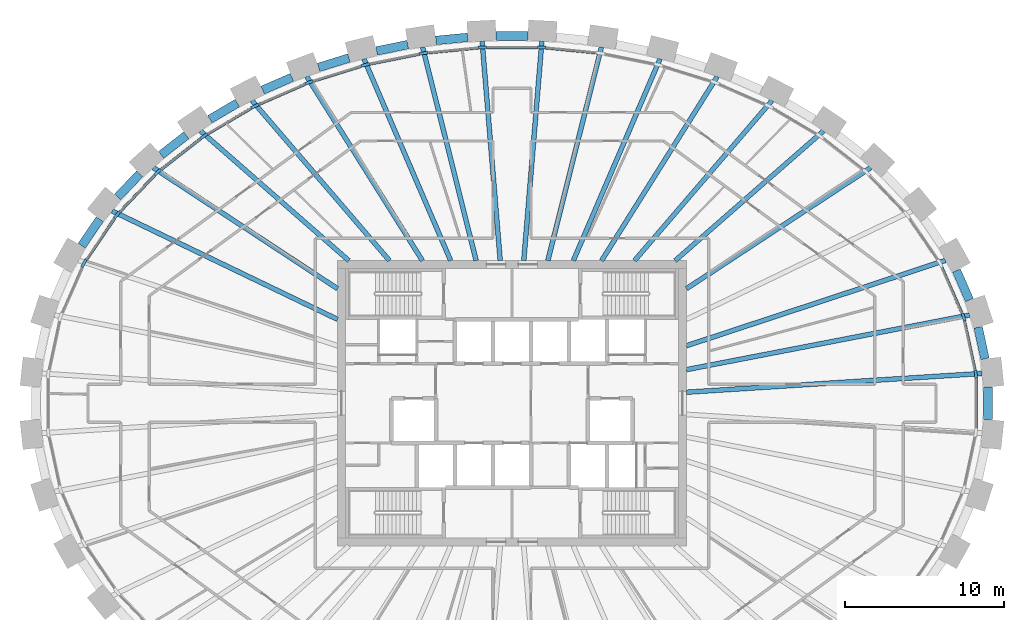
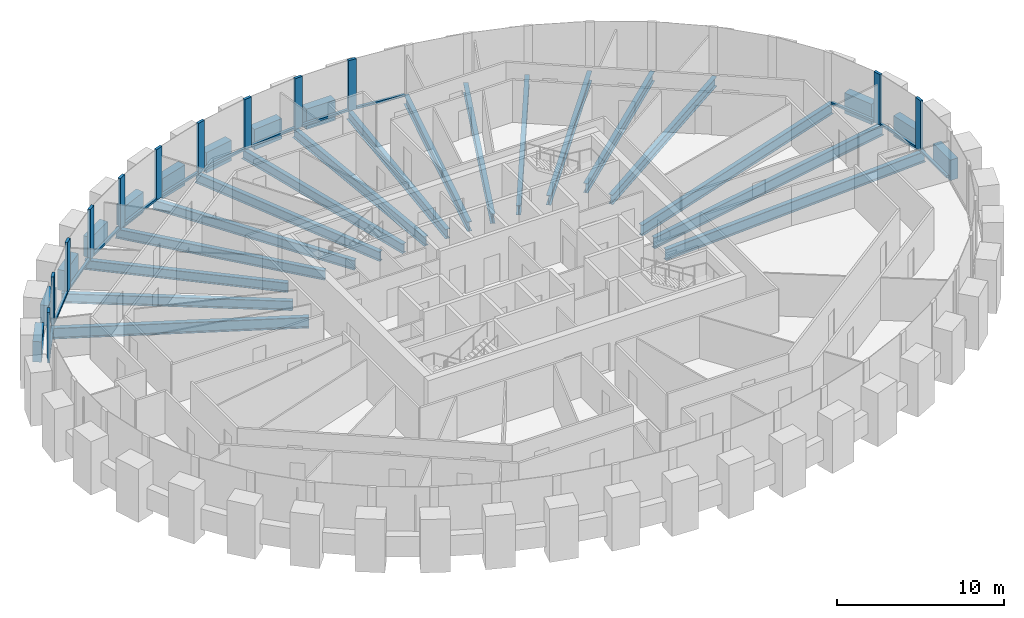
# One storey, part 3 of 11: 30 beams, 25 members, 1 element without a shape of its own.
"""IFC4 building model written with IfcOpenShell, lengths in metres."""

from ifc_helpers import new_model, si_unit, direction, frame, origin, origin_2d, place, context, subcontext, project, spatial, rectangle, i_section, extrude, source, transform, mapped, material, material_profile, profile_set, type_object, element, aggregate, save


model = new_model("IFC4")

# Units and contexts
model_context = context("Model", 3, precision=1e-05, world=origin(), true_north=direction((0.0, 1.0)))
body_context = subcontext(model_context, "Body", "Model", "MODEL_VIEW")
ifc_project = project(units=[si_unit("LENGTHUNIT", "METRE"), si_unit("AREAUNIT", "SQUARE_METRE"), si_unit("VOLUMEUNIT", "CUBIC_METRE"), si_unit("PLANEANGLEUNIT", "RADIAN"), si_unit("MASSUNIT", "GRAM", prefix="KILO")], contexts=[model_context])

# Site, building, storey
site_placement = place(None, origin())
site = spatial("IfcSite", under=ifc_project, at=site_placement, CompositionType="ELEMENT")
building_placement = place(site_placement, origin())
building = spatial("IfcBuilding", under=site, at=building_placement, Name="Embergate Tower", CompositionType="ELEMENT")
storey_placement = place(building_placement, frame((0.0, 0.0, 305.199951171875)))
storey = spatial("IfcBuildingStorey", under=building, at=storey_placement, Name="L71", CompositionType="ELEMENT", Elevation=305.199951171875)

# Beams
ifc_material_1 = material(Name="Concrete C50", Category="concrete")
ifc_material_profile_1 = material_profile(ifc_material_1, rectangle(XDim=0.550048828125, YDim=1.5, at=origin_2d()), Name="RC 550x1500")
ifc_profile_set_1 = profile_set([ifc_material_profile_1], Name="Concrete C50")
beam_type_1 = type_object("IfcBeamType", Name="Spandrel beam RC 550x1500 C50", PredefinedType="BEAM", material=ifc_profile_set_1)
shared_shape_1 = source(origin(), body_context, "Body", "SweptSolid", [
    extrude(rectangle(XDim=0.550048828125, YDim=1.5, at=origin_2d()), origin(), (0.0, 0.0, 1.0), 2.034423828125),
])
beam_1_placement = place(storey_placement, frame((29.823974609375, 2.80810546875, 0.0), z_axis=(-0.209897885741, 0.977723313398, 0.0), x_axis=(-0.977723313398, -0.209897885741, 0.0)))
element("IfcBeam", 1, at=beam_1_placement, inside=storey, type_object=beam_type_1, Name="SPN-L71-00", PredefinedType="BEAM", context=body_context, shape_type="MappedRepresentation", body=[
    mapped(shared_shape_1, transform((0.0, 0.0, 0.0))),
])
shared_shape_2 = source(origin(), body_context, "Body", "SweptSolid", [
    extrude(rectangle(XDim=0.550048828125, YDim=1.5, at=origin_2d()), origin(), (0.0, 0.0, 1.0), 2.03125),
])
beam_2_placement = place(storey_placement, frame((28.843017578125, 6.510009765625, 0.0), z_axis=(-0.401695096335, 0.915773470669, 0.0), x_axis=(-0.915773470669, -0.401695096335, 0.0)))
element("IfcBeam", 2, at=beam_2_placement, inside=storey, type_object=beam_type_1, Name="SPN-L71-01", PredefinedType="BEAM", context=body_context, shape_type="MappedRepresentation", body=[
    mapped(shared_shape_2, transform((0.0, 0.0, 0.0))),
])
shared_shape_3 = source(origin(), body_context, "Body", "SweptSolid", [
    extrude(rectangle(XDim=0.550048828125, YDim=1.5, at=origin_2d()), origin(), (0.0, 0.0, 1.0), 2.02392578125),
])
beam_3_placement = place(storey_placement, frame((-26.0, 11.60888671875, 0.0), z_axis=(-0.562220937061, -0.826987072408, 0.0), x_axis=(0.826987072408, -0.562220937061, 0.0)))
element("IfcBeam", 3, at=beam_3_placement, inside=storey, type_object=beam_type_1, Name="SPN-L71-18", PredefinedType="BEAM", context=body_context, shape_type="MappedRepresentation", body=[
    mapped(shared_shape_3, transform((0.0, 0.0, 0.0))),
])
shared_shape_4 = source(origin(), body_context, "Body", "SweptSolid", [
    extrude(rectangle(XDim=0.550048828125, YDim=1.5, at=origin_2d()), origin(), (0.0, 0.0, 1.0), 2.0185546875),
])
beam_4_placement = place(storey_placement, frame((-23.47607421875, 14.469970703125, 0.0), z_axis=(-0.690032605045, -0.723778283714, 0.0), x_axis=(0.723778283714, -0.690032605045, 0.0)))
element("IfcBeam", 4, at=beam_4_placement, inside=storey, type_object=beam_type_1, Name="SPN-L71-17", PredefinedType="BEAM", context=body_context, shape_type="MappedRepresentation", body=[
    mapped(shared_shape_4, transform((0.0, 0.0, 0.0))),
])
shared_shape_5 = source(origin(), body_context, "Body", "SweptSolid", [
    extrude(rectangle(XDim=0.550048828125, YDim=1.5, at=origin_2d()), origin(), (0.0, 0.0, 1.0), 2.011962890625),
])
beam_5_placement = place(storey_placement, frame((-20.5419921875, 16.902099609375, 0.0), z_axis=(-0.788259795351, -0.615342583471, 0.0), x_axis=(0.615342583471, -0.788259795351, 0.0)))
element("IfcBeam", 5, at=beam_5_placement, inside=storey, type_object=beam_type_1, Name="SPN-L71-16", PredefinedType="BEAM", context=body_context, shape_type="MappedRepresentation", body=[
    mapped(shared_shape_5, transform((0.0, 0.0, 0.0))),
])
shared_shape_6 = source(origin(), body_context, "Body", "SweptSolid", [
    extrude(rectangle(XDim=0.550048828125, YDim=1.5, at=origin_2d()), origin(), (0.0, 0.0, 1.0), 2.008056640625),
])
beam_6_placement = place(storey_placement, frame((-17.322021484375, 18.931884765625, 0.0), z_axis=(-0.86201859197, -0.506876658663, 0.0), x_axis=(0.506876658663, -0.86201859197, 0.0)))
element("IfcBeam", 6, at=beam_6_placement, inside=storey, type_object=beam_type_1, Name="SPN-L71-15", PredefinedType="BEAM", context=body_context, shape_type="MappedRepresentation", body=[
    mapped(shared_shape_6, transform((0.0, 0.0, 0.0))),
])
shared_shape_7 = source(origin(), body_context, "Body", "SweptSolid", [
    extrude(rectangle(XDim=0.550048828125, YDim=1.5, at=origin_2d()), origin(), (0.0, 0.0, 1.0), 2.0068359375),
])
beam_7_placement = place(storey_placement, frame((-13.8798828125, 20.552978515625, 0.0), z_axis=(-0.916455842534, -0.400135837793, 0.0), x_axis=(0.400135837793, -0.916455842534, 0.0)))
element("IfcBeam", 7, at=beam_7_placement, inside=storey, type_object=beam_type_1, Name="SPN-L71-14", PredefinedType="BEAM", context=body_context, shape_type="MappedRepresentation", body=[
    mapped(shared_shape_7, transform((0.0, 0.0, 0.0))),
])
shared_shape_8 = source(origin(), body_context, "Body", "SweptSolid", [
    extrude(rectangle(XDim=0.550048828125, YDim=1.5, at=origin_2d()), origin(), (0.0, 0.0, 1.0), 2.0048828125),
])
beam_8_placement = place(storey_placement, frame((-10.280029296875, 21.778076171875, 0.0), z_axis=(-0.954756929567, -0.297387298725, 0.0), x_axis=(0.297387298725, -0.954756929567, 0.0)))
element("IfcBeam", 8, at=beam_8_placement, inside=storey, type_object=beam_type_1, Name="SPN-L71-13", PredefinedType="BEAM", context=body_context, shape_type="MappedRepresentation", body=[
    mapped(shared_shape_8, transform((0.0, 0.0, 0.0))),
])
shared_shape_9 = source(origin(), body_context, "Body", "SweptSolid", [
    extrude(rectangle(XDim=0.550048828125, YDim=1.5, at=origin_2d()), origin(), (0.0, 0.0, 1.0), 2.003173828125),
])
beam_9_placement = place(storey_placement, frame((-6.572021484375, 22.617919921875, 0.0), z_axis=(-0.980364457571, -0.197194143753, 0.0), x_axis=(0.197194143753, -0.980364457571, 0.0)))
element("IfcBeam", 9, at=beam_9_placement, inside=storey, type_object=beam_type_1, Name="SPN-L71-12", PredefinedType="BEAM", context=body_context, shape_type="MappedRepresentation", body=[
    mapped(shared_shape_9, transform((0.0, 0.0, 0.0))),
])
shared_shape_10 = source(origin(), body_context, "Body", "SweptSolid", [
    extrude(rectangle(XDim=0.550048828125, YDim=1.5, at=origin_2d()), origin(), (0.0, 0.0, 1.0), 2.00341796875),
])
beam_10_placement = place(storey_placement, frame((-2.798095703125, 23.0791015625, 0.0), z_axis=(-0.995201107697, -0.097850678276, 0.0), x_axis=(0.097850678276, -0.995201107697, 0.0)))
element("IfcBeam", 10, at=beam_10_placement, inside=storey, type_object=beam_type_1, Name="SPN-L71-11", PredefinedType="BEAM", context=body_context, shape_type="MappedRepresentation", body=[
    mapped(shared_shape_10, transform((0.0, 0.0, 0.0))),
])
shared_shape_11 = source(origin(), body_context, "Body", "SweptSolid", [
    extrude(rectangle(XDim=0.550048828125, YDim=1.5, at=origin_2d()), origin(), (0.0, 0.0, 1.0), 2.001953125),
])
beam_11_placement = place(storey_placement, frame((1.0009765625, 23.1669921875, 0.0), z_axis=(-1.0, 0.0, 0.0), x_axis=(0.0, -1.0, 0.0)))
element("IfcBeam", 11, at=beam_11_placement, inside=storey, type_object=beam_type_1, Name="SPN-L71-10", PredefinedType="BEAM", context=body_context, shape_type="MappedRepresentation", body=[
    mapped(shared_shape_11, transform((0.0, 0.0, 0.0))),
])
shared_shape_12 = source(origin(), body_context, "Body", "SweptSolid", [
    extrude(rectangle(XDim=0.550048828125, YDim=1.5, at=origin_2d()), origin(), (0.0, 0.0, 1.0), 2.0361328125),
])
beam_12_placement = place(storey_placement, frame((30.014892578125, -1.01806640625, 0.0), z_axis=(0.0, 1.0, 0.0), x_axis=(-1.0, 0.0, 0.0)))
element("IfcBeam", 12, at=beam_12_placement, inside=storey, type_object=beam_type_1, Name="SPN-L71-43", PredefinedType="BEAM", context=body_context, shape_type="MappedRepresentation", body=[
    mapped(shared_shape_12, transform((0.0, 0.0, 0.0))),
])
ifc_material_2 = material(Name="Steel Q355B", Category="steel")
ifc_material_profile_2 = material_profile(ifc_material_2, i_section(OverallWidth=0.300048828125, OverallDepth=0.800048828125, WebThickness=0.013916015625, FlangeThickness=0.02587890625, FilletRadius=0.028076171875, at=origin_2d()), Name="HN 800x300x14x26")
ifc_profile_set_2 = profile_set([ifc_material_profile_2], Name="Steel Q355 grade B")
beam_type_2 = type_object("IfcBeamType", Name="Radial girder HN 800x300x14x26", PredefinedType="BEAM", material=ifc_profile_set_2)
shared_shape_13 = source(origin(), body_context, "Body", "SweptSolid", [
    extrude(i_section(OverallWidth=0.300048828125, OverallDepth=0.800048828125, WebThickness=0.013916015625, FlangeThickness=0.02587890625, FilletRadius=0.028076171875, at=origin_2d()), origin(), (0.0, 0.0, 1.0), 18.677490234375),
])
beam_13_placement = place(storey_placement, frame((29.639892578125, 1.883056640625, -0.599853515625), z_axis=(-0.997988431548, -0.063396297175, 0.0), x_axis=(0.063396297175, -0.997988431548, 0.0)))
element("IfcBeam", 13, at=beam_13_placement, inside=storey, type_object=beam_type_2, Name="GIR-L71-00", PredefinedType="BEAM", context=body_context, shape_type="MappedRepresentation", body=[
    mapped(shared_shape_13, transform((0.0, 0.0, 0.0))),
])
shared_shape_14 = source(origin(), body_context, "Body", "SweptSolid", [
    extrude(i_section(OverallWidth=0.300048828125, OverallDepth=0.800048828125, WebThickness=0.013916015625, FlangeThickness=0.02587890625, FilletRadius=0.028076171875, at=origin_2d()), origin(), (0.0, 0.0, 1.0), 18.177001953125),
])
beam_14_placement = place(storey_placement, frame((28.847900390625, 5.56494140625, -0.599853515625), z_axis=(-0.981898318419, -0.189408796749, 0.0), x_axis=(0.189408796749, -0.981898318419, 0.0)))
element("IfcBeam", 14, at=beam_14_placement, inside=storey, type_object=beam_type_2, Name="GIR-L71-01", PredefinedType="BEAM", context=body_context, shape_type="MappedRepresentation", body=[
    mapped(shared_shape_14, transform((0.0, 0.0, 0.0))),
])
shared_shape_15 = source(origin(), body_context, "Body", "SweptSolid", [
    extrude(i_section(OverallWidth=0.300048828125, OverallDepth=0.800048828125, WebThickness=0.013916015625, FlangeThickness=0.02587890625, FilletRadius=0.028076171875, at=origin_2d()), origin(), (0.0, 0.0, 1.0), 17.2001953125),
])
beam_15_placement = place(storey_placement, frame((27.3349609375, 9.014892578125, -0.599853515625), z_axis=(-0.949690470212, -0.313190055378, 0.0), x_axis=(0.313190055378, -0.949690470212, 0.0)))
element("IfcBeam", 15, at=beam_15_placement, inside=storey, type_object=beam_type_2, Name="GIR-L71-02", PredefinedType="BEAM", context=body_context, shape_type="MappedRepresentation", body=[
    mapped(shared_shape_15, transform((0.0, 0.0, 0.0))),
])
shared_shape_16 = source(origin(), body_context, "Body", "SweptSolid", [
    extrude(i_section(OverallWidth=0.300048828125, OverallDepth=0.800048828125, WebThickness=0.013916015625, FlangeThickness=0.02587890625, FilletRadius=0.028076171875, at=origin_2d()), origin(), (0.0, 0.0, 1.0), 15.775634765625),
])
beam_16_placement = place(storey_placement, frame((-25.216064453125, 12.131103515625, -0.599853515625), z_axis=(0.901141870193, -0.433524312795, 0.0), x_axis=(0.433524312795, 0.901141870193, 0.0)))
element("IfcBeam", 16, at=beam_16_placement, inside=storey, type_object=beam_type_2, Name="GIR-L71-18", PredefinedType="BEAM", context=body_context, shape_type="MappedRepresentation", body=[
    mapped(shared_shape_16, transform((0.0, 0.0, 0.0))),
])
ifc_material_profile_3 = material_profile(ifc_material_2, i_section(OverallWidth=0.300048828125, OverallDepth=0.699951171875, WebThickness=0.012939453125, FlangeThickness=0.02392578125, FilletRadius=0.01806640625, at=origin_2d()), Name="HN 700x300x13x24")
ifc_profile_set_3 = profile_set([ifc_material_profile_3], Name="Steel Q355 grade B")
beam_type_3 = type_object("IfcBeamType", Name="Radial girder HN 700x300x13x24", PredefinedType="BEAM", material=ifc_profile_set_3)
shared_shape_17 = source(origin(), body_context, "Body", "SweptSolid", [
    extrude(i_section(OverallWidth=0.300048828125, OverallDepth=0.699951171875, WebThickness=0.012939453125, FlangeThickness=0.02392578125, FilletRadius=0.01806640625, at=origin_2d()), origin(), (0.0, 0.0, 1.0), 13.89794921875),
])
for number, where, z_axis, x_axis, name in (
    (17, (22.614990234375, 14.85888671875, -0.550048828125), (-0.835734272266, -0.549134069386, 0.0), (0.549134069386, -0.835734272266, 0.0), "GIR-L71-04"),
    (18, (-22.614990234375, 14.85888671875, -0.550048828125), (0.835734272266, -0.549134069386, 0.0), (0.549134069386, 0.835734272266, 0.0), "GIR-L71-17"),
):
    element("IfcBeam", number, at=place(storey_placement, frame(where, z_axis=z_axis, x_axis=x_axis)), inside=storey, type_object=beam_type_3, Name=name, PredefinedType="BEAM", context=body_context, shape_type="MappedRepresentation", body=[
        mapped(shared_shape_17, transform((0.0, 0.0, 0.0))),
    ])
shared_shape_18 = source(origin(), body_context, "Body", "SweptSolid", [
    extrude(i_section(OverallWidth=0.300048828125, OverallDepth=0.699951171875, WebThickness=0.012939453125, FlangeThickness=0.02392578125, FilletRadius=0.01806640625, at=origin_2d()), origin(), (0.0, 0.0, 1.0), 12.424072265625),
])
for number, where, z_axis, x_axis, name in (
    (19, (19.64306640625, 17.178955078125, -0.550048828125), (-0.752739789834, -0.658318166847, 0.0), (0.658318166847, -0.752739789834, 0.0), "GIR-L71-05"),
    (20, (-19.64306640625, 17.178955078125, -0.550048828125), (0.752739789834, -0.658318166847, 0.0), (0.658318166847, 0.752739789834, 0.0), "GIR-L71-16"),
):
    element("IfcBeam", number, at=place(storey_placement, frame(where, z_axis=z_axis, x_axis=x_axis)), inside=storey, type_object=beam_type_3, Name=name, PredefinedType="BEAM", context=body_context, shape_type="MappedRepresentation", body=[
        mapped(shared_shape_18, transform((0.0, 0.0, 0.0))),
    ])
shared_shape_19 = source(origin(), body_context, "Body", "SweptSolid", [
    extrude(i_section(OverallWidth=0.300048828125, OverallDepth=0.699951171875, WebThickness=0.012939453125, FlangeThickness=0.02392578125, FilletRadius=0.01806640625, at=origin_2d()), origin(), (0.0, 0.0, 1.0), 13.300048828125),
])
for number, where, z_axis, x_axis, name in (
    (21, (16.39306640625, 19.090087890625, -0.550048828125), (-0.651501585067, -0.758647272885, 0.0), (0.758647272885, -0.651501585067, 0.0), "GIR-L71-06"),
    (22, (-16.39306640625, 19.090087890625, -0.550048828125), (0.651501585067, -0.758647272885, 0.0), (0.758647272885, 0.651501585067, 0.0), "GIR-L71-15"),
):
    element("IfcBeam", number, at=place(storey_placement, frame(where, z_axis=z_axis, x_axis=x_axis)), inside=storey, type_object=beam_type_3, Name=name, PredefinedType="BEAM", context=body_context, shape_type="MappedRepresentation", body=[
        mapped(shared_shape_19, transform((0.0, 0.0, 0.0))),
    ])
shared_shape_20 = source(origin(), body_context, "Body", "SweptSolid", [
    extrude(i_section(OverallWidth=0.300048828125, OverallDepth=0.699951171875, WebThickness=0.012939453125, FlangeThickness=0.02392578125, FilletRadius=0.01806640625, at=origin_2d()), origin(), (0.0, 0.0, 1.0), 13.698486328125),
])
for number, where, z_axis, x_axis, name in (
    (23, (12.93798828125, 20.60009765625, -0.550048828125), (-0.5318784163, -0.846820730895, 0.0), (0.846820730895, -0.5318784163, 0.0), "GIR-L71-07"),
    (24, (-12.93798828125, 20.60009765625, -0.550048828125), (0.5318784163, -0.846820730895, 0.0), (0.846820730895, 0.5318784163, 0.0), "GIR-L71-14"),
):
    element("IfcBeam", number, at=place(storey_placement, frame(where, z_axis=z_axis, x_axis=x_axis)), inside=storey, type_object=beam_type_3, Name=name, PredefinedType="BEAM", context=body_context, shape_type="MappedRepresentation", body=[
        mapped(shared_shape_20, transform((0.0, 0.0, 0.0))),
    ])
shared_shape_21 = source(origin(), body_context, "Body", "SweptSolid", [
    extrude(i_section(OverallWidth=0.300048828125, OverallDepth=0.699951171875, WebThickness=0.012939453125, FlangeThickness=0.02392578125, FilletRadius=0.01806640625, at=origin_2d()), origin(), (0.0, 0.0, 1.0), 13.846435546875),
])
for number, where, z_axis, x_axis, name in (
    (25, (9.3369140625, 21.720947265625, -0.550048828125), (-0.394906469697, -0.918721328909, 0.0), (0.918721328909, -0.394906469697, 0.0), "GIR-L71-08"),
    (26, (-9.3369140625, 21.720947265625, -0.550048828125), (0.394906469697, -0.918721328909, 0.0), (0.918721328909, 0.394906469697, 0.0), "GIR-L71-13"),
):
    element("IfcBeam", number, at=place(storey_placement, frame(where, z_axis=z_axis, x_axis=x_axis)), inside=storey, type_object=beam_type_3, Name=name, PredefinedType="BEAM", context=body_context, shape_type="MappedRepresentation", body=[
        mapped(shared_shape_21, transform((0.0, 0.0, 0.0))),
    ])
shared_shape_22 = source(origin(), body_context, "Body", "SweptSolid", [
    extrude(i_section(OverallWidth=0.300048828125, OverallDepth=0.699951171875, WebThickness=0.012939453125, FlangeThickness=0.02392578125, FilletRadius=0.01806640625, at=origin_2d()), origin(), (0.0, 0.0, 1.0), 13.88037109375),
])
for number, where, z_axis, x_axis, name in (
    (27, (5.638916015625, 22.462890625, -0.550048828125), (-0.243429448645, -0.969918606653, 0.0), (0.969918606653, -0.243429448645, 0.0), "GIR-L71-09"),
    (28, (-5.638916015625, 22.462890625, -0.550048828125), (0.243429448645, -0.969918606653, 0.0), (0.969918606653, 0.243429448645, 0.0), "GIR-L71-12"),
):
    element("IfcBeam", number, at=place(storey_placement, frame(where, z_axis=z_axis, x_axis=x_axis)), inside=storey, type_object=beam_type_3, Name=name, PredefinedType="BEAM", context=body_context, shape_type="MappedRepresentation", body=[
        mapped(shared_shape_22, transform((0.0, 0.0, 0.0))),
    ])
shared_shape_23 = source(origin(), body_context, "Body", "SweptSolid", [
    extrude(i_section(OverallWidth=0.300048828125, OverallDepth=0.699951171875, WebThickness=0.012939453125, FlangeThickness=0.02392578125, FilletRadius=0.01806640625, at=origin_2d()), origin(), (0.0, 0.0, 1.0), 13.879150390625),
])
for number, where, z_axis, x_axis, name in (
    (29, (1.885009765625, 22.83203125, -0.550048828125), (-0.082288456924, -0.996608553975, 0.0), (0.996608553975, -0.082288456924, 0.0), "GIR-L71-10"),
    (30, (-1.885009765625, 22.83203125, -0.550048828125), (0.082288456924, -0.996608553975, 0.0), (0.996608553975, 0.082288456924, 0.0), "GIR-L71-11"),
):
    element("IfcBeam", number, at=place(storey_placement, frame(where, z_axis=z_axis, x_axis=x_axis)), inside=storey, type_object=beam_type_3, Name=name, PredefinedType="BEAM", context=body_context, shape_type="MappedRepresentation", body=[
        mapped(shared_shape_23, transform((0.0, 0.0, 0.0))),
    ])

# Curtain wall, members
ifc_material_3 = material(Name="Aluminium and glass", Category="aluminium")
curtain_wall_type = type_object("IfcCurtainWallType", Name="Recessed office glazing", PredefinedType="NOTDEFINED", material=ifc_material_3)
curtain_wall_placement = place(storey_placement, origin())
curtain_wall = element("IfcCurtainWall", 31, at=curtain_wall_placement, inside=storey, type_object=curtain_wall_type, Name="Recessed office glazing ring", ObjectType="RECESSED OFFICE GLAZING", PredefinedType="USERDEFINED")
ifc_material_4 = material(Name="Aluminium, thermally broken", Category="aluminium")
ifc_material_profile_4 = material_profile(ifc_material_4, rectangle(XDim=0.179931640625, YDim=0.52001953125, at=origin_2d()), Name="AL 520x180")
ifc_profile_set_4 = profile_set([ifc_material_profile_4], Name="Aluminium, thermally broken")
member_type_1 = type_object("IfcMemberType", Name="Office mullion", PredefinedType="MULLION", material=ifc_profile_set_4)
shared_shape_24 = source(origin(), body_context, "Body", "SweptSolid", [
    extrude(rectangle(XDim=0.179931640625, YDim=0.52001953125, at=origin_2d()), origin(), (0.0, 0.0, 1.0), 3.699951171875),
])
member_1_placement = place(storey_placement, frame((29.252197265625, 1.84130859375, 0.0), z_axis=(0.0, 0.0, 1.0), x_axis=(-0.994384215926, -0.105830199459, 0.0)))
member_1 = element("IfcMember", 32, at=member_1_placement, type_object=member_type_1, Name="CW mullion 1", PredefinedType="MULLION", context=body_context, shape_type="MappedRepresentation", body=[
    mapped(shared_shape_24, transform((0.0, 0.0, 0.0))),
])
member_2_placement = place(storey_placement, frame((28.47705078125, 5.44384765625, 0.0), z_axis=(0.0, 0.0, 1.0), x_axis=(-0.951492965233, -0.307670500881, 0.0)))
member_2 = element("IfcMember", 33, at=member_2_placement, type_object=member_type_1, Name="CW mullion 2", PredefinedType="MULLION", context=body_context, shape_type="MappedRepresentation", body=[
    mapped(shared_shape_24, transform((0.0, 0.0, 0.0))),
])
member_3_placement = place(storey_placement, frame((1.86669921875, 22.4423828125, 0.0), z_axis=(0.0, 0.0, 1.0), x_axis=(-0.048971796621, -0.998800161762, 0.0)))
member_3 = element("IfcMember", 34, at=member_3_placement, type_object=member_type_1, Name="CW mullion 11", PredefinedType="MULLION", context=body_context, shape_type="MappedRepresentation", body=[
    mapped(shared_shape_24, transform((0.0, 0.0, 0.0))),
])
member_4_placement = place(storey_placement, frame((-1.86669921875, 22.4423828125, 0.0), z_axis=(0.0, 0.0, 1.0), x_axis=(0.048971796621, -0.998800161762, 0.0)))
member_4 = element("IfcMember", 35, at=member_4_placement, type_object=member_type_1, Name="CW mullion 12", PredefinedType="MULLION", context=body_context, shape_type="MappedRepresentation", body=[
    mapped(shared_shape_24, transform((0.0, 0.0, 0.0))),
])
member_5_placement = place(storey_placement, frame((-5.581787109375, 22.0771484375, 0.0), z_axis=(0.0, 0.0, 1.0), x_axis=(0.147412382818, -0.989075118174, 0.0)))
member_5 = element("IfcMember", 36, at=member_5_placement, type_object=member_type_1, Name="CW mullion 13", PredefinedType="MULLION", context=body_context, shape_type="MappedRepresentation", body=[
    mapped(shared_shape_24, transform((0.0, 0.0, 0.0))),
])
member_6_placement = place(storey_placement, frame((-9.240478515625, 21.343505859375, 0.0), z_axis=(0.0, 0.0, 1.0), x_axis=(0.24731188137, -0.968935928394, 0.0)))
member_6 = element("IfcMember", 37, at=member_6_placement, type_object=member_type_1, Name="CW mullion 14", PredefinedType="MULLION", context=body_context, shape_type="MappedRepresentation", body=[
    mapped(shared_shape_24, transform((0.0, 0.0, 0.0))),
])
member_7_placement = place(storey_placement, frame((-12.801513671875, 20.234619140625, 0.0), z_axis=(0.0, 0.0, 1.0), x_axis=(0.349501047589, -0.936935973124, 0.0)))
member_7 = element("IfcMember", 38, at=member_7_placement, type_object=member_type_1, Name="CW mullion 15", PredefinedType="MULLION", context=body_context, shape_type="MappedRepresentation", body=[
    mapped(shared_shape_24, transform((0.0, 0.0, 0.0))),
])
member_8_placement = place(storey_placement, frame((-16.2158203125, 18.741455078125, 0.0), z_axis=(0.0, 0.0, 1.0), x_axis=(0.454508271251, -0.890742516872, 0.0)))
member_8 = element("IfcMember", 39, at=member_8_placement, type_object=member_type_1, Name="CW mullion 16", PredefinedType="MULLION", context=body_context, shape_type="MappedRepresentation", body=[
    mapped(shared_shape_24, transform((0.0, 0.0, 0.0))),
])
member_9_placement = place(storey_placement, frame((-19.42431640625, 16.855224609375, 0.0), z_axis=(0.0, 0.0, 1.0), x_axis=(0.56221328843, -0.826992272221, 0.0)))
member_9 = element("IfcMember", 40, at=member_9_placement, type_object=member_type_1, Name="CW mullion 17", PredefinedType="MULLION", context=body_context, shape_type="MappedRepresentation", body=[
    mapped(shared_shape_24, transform((0.0, 0.0, 0.0))),
])
member_10_placement = place(storey_placement, frame((-22.353759765625, 14.56884765625, 0.0), z_axis=(0.0, 0.0, 1.0), x_axis=(0.671220065284, -0.741258135847, 0.0)))
member_10 = element("IfcMember", 41, at=member_10_placement, type_object=member_type_1, Name="CW mullion 18", PredefinedType="MULLION", context=body_context, shape_type="MappedRepresentation", body=[
    mapped(shared_shape_24, transform((0.0, 0.0, 0.0))),
])
member_11_placement = place(storey_placement, frame((-24.913330078125, 11.884765625, 0.0), z_axis=(0.0, 0.0, 1.0), x_axis=(0.777863789852, -0.628432911643, 0.0)))
member_11 = element("IfcMember", 42, at=member_11_placement, type_object=member_type_1, Name="CW mullion 19", PredefinedType="MULLION", context=body_context, shape_type="MappedRepresentation", body=[
    mapped(shared_shape_24, transform((0.0, 0.0, 0.0))),
])
member_12_placement = place(storey_placement, frame((-26.994140625, 8.824951171875, 0.0), z_axis=(0.0, 0.0, 1.0), x_axis=(0.87499344622, -0.484134763338, 0.0)))
member_12 = element("IfcMember", 43, at=member_12_placement, type_object=member_type_1, Name="CW mullion 20", PredefinedType="MULLION", context=body_context, shape_type="MappedRepresentation", body=[
    mapped(shared_shape_24, transform((0.0, 0.0, 0.0))),
])
ifc_material_profile_5 = material_profile(ifc_material_4, rectangle(XDim=0.179931640625, YDim=0.14990234375, at=origin_2d()), Name="AL 150x180")
ifc_profile_set_5 = profile_set([ifc_material_profile_5], Name="Aluminium, thermally broken")
member_type_2 = type_object("IfcMemberType", Name="Office sill transom", PredefinedType="USERDEFINED", material=ifc_profile_set_5)
shared_shape_25 = source(origin(), body_context, "Body", "SweptSolid", [
    extrude(rectangle(XDim=0.179931640625, YDim=0.14990234375, at=origin_2d()), origin(), (0.0, 0.0, 1.0), 3.1650390625),
])
member_13_placement = place(storey_placement, frame((29.197509765625, 2.095458984375, 0.074951171875), z_axis=(-0.210350798958, 0.977625972127, 0.0), x_axis=(-0.977625972127, -0.210350798958, 0.0)))
member_13 = element("IfcMember", 44, at=member_13_placement, type_object=member_type_2, Name="CW transom 1.1", ObjectType="TRANSOM", PredefinedType="USERDEFINED", context=body_context, shape_type="MappedRepresentation", body=[
    mapped(shared_shape_25, transform((0.0, 0.0, 0.0))),
])
shared_shape_26 = source(origin(), body_context, "Body", "SweptSolid", [
    extrude(rectangle(XDim=0.179931640625, YDim=0.14990234375, at=origin_2d()), origin(), (0.0, 0.0, 1.0), 3.172119140625),
])
member_14_placement = place(storey_placement, frame((28.37255859375, 5.681884765625, 0.074951171875), z_axis=(-0.401606005278, 0.915812544424, 0.0), x_axis=(-0.915812544424, -0.401606005278, 0.0)))
member_14 = element("IfcMember", 45, at=member_14_placement, type_object=member_type_2, Name="CW transom 2.1", ObjectType="TRANSOM", PredefinedType="USERDEFINED", context=body_context, shape_type="MappedRepresentation", body=[
    mapped(shared_shape_26, transform((0.0, 0.0, 0.0))),
])
shared_shape_27 = source(origin(), body_context, "Body", "SweptSolid", [
    extrude(rectangle(XDim=0.179931640625, YDim=0.14990234375, at=origin_2d()), origin(), (0.0, 0.0, 1.0), 3.180419921875),
])
member_15_placement = place(storey_placement, frame((-25.0595703125, 11.669921875, 0.074951171875), z_axis=(-0.562276427382, -0.826949345009, 0.0), x_axis=(0.826949345009, -0.562276427382, 0.0)))
member_15 = element("IfcMember", 46, at=member_15_placement, type_object=member_type_2, Name="CW transom 19.1", ObjectType="TRANSOM", PredefinedType="USERDEFINED", context=body_context, shape_type="MappedRepresentation", body=[
    mapped(shared_shape_27, transform((0.0, 0.0, 0.0))),
])
shared_shape_28 = source(origin(), body_context, "Body", "SweptSolid", [
    extrude(rectangle(XDim=0.179931640625, YDim=0.14990234375, at=origin_2d()), origin(), (0.0, 0.0, 1.0), 3.188720703125),
])
member_16_placement = place(storey_placement, frame((-22.533203125, 14.380615234375, 0.074951171875), z_axis=(-0.690140615527, -0.723675293761, 0.0), x_axis=(0.723675293761, -0.690140615527, 0.0)))
member_16 = element("IfcMember", 47, at=member_16_placement, type_object=member_type_2, Name="CW transom 18.1", ObjectType="TRANSOM", PredefinedType="USERDEFINED", context=body_context, shape_type="MappedRepresentation", body=[
    mapped(shared_shape_28, transform((0.0, 0.0, 0.0))),
])
shared_shape_29 = source(origin(), body_context, "Body", "SweptSolid", [
    extrude(rectangle(XDim=0.179931640625, YDim=0.14990234375, at=origin_2d()), origin(), (0.0, 0.0, 1.0), 3.196044921875),
])
member_17_placement = place(storey_placement, frame((-19.629150390625, 16.6953125, 0.074951171875), z_axis=(-0.788302228684, -0.615288222098, 0.0), x_axis=(0.615288222098, -0.788302228684, 0.0)))
member_17 = element("IfcMember", 48, at=member_17_placement, type_object=member_type_2, Name="CW transom 17.1", ObjectType="TRANSOM", PredefinedType="USERDEFINED", context=body_context, shape_type="MappedRepresentation", body=[
    mapped(shared_shape_29, transform((0.0, 0.0, 0.0))),
])
shared_shape_30 = source(origin(), body_context, "Body", "SweptSolid", [
    extrude(rectangle(XDim=0.179931640625, YDim=0.14990234375, at=origin_2d()), origin(), (0.0, 0.0, 1.0), 3.201904296875),
])
member_18_placement = place(storey_placement, frame((-16.43994140625, 18.609619140625, 0.074951171875), z_axis=(-0.862053756613, -0.506816851248, 0.0), x_axis=(0.506816851248, -0.862053756613, 0.0)))
member_18 = element("IfcMember", 49, at=member_18_placement, type_object=member_type_2, Name="CW transom 16.1", ObjectType="TRANSOM", PredefinedType="USERDEFINED", context=body_context, shape_type="MappedRepresentation", body=[
    mapped(shared_shape_30, transform((0.0, 0.0, 0.0))),
])
shared_shape_31 = source(origin(), body_context, "Body", "SweptSolid", [
    extrude(rectangle(XDim=0.179931640625, YDim=0.14990234375, at=origin_2d()), origin(), (0.0, 0.0, 1.0), 3.206298828125),
])
member_19_placement = place(storey_placement, frame((-13.039794921875, 20.13037109375, 0.074951171875), z_axis=(-0.916225475643, -0.400663047688, 0.0), x_axis=(0.400663047688, -0.916225475643, 0.0)))
member_19 = element("IfcMember", 50, at=member_19_placement, type_object=member_type_2, Name="CW transom 15.1", ObjectType="TRANSOM", PredefinedType="USERDEFINED", context=body_context, shape_type="MappedRepresentation", body=[
    mapped(shared_shape_31, transform((0.0, 0.0, 0.0))),
])
shared_shape_32 = source(origin(), body_context, "Body", "SweptSolid", [
    extrude(rectangle(XDim=0.179931640625, YDim=0.14990234375, at=origin_2d()), origin(), (0.0, 0.0, 1.0), 3.20947265625),
])
member_20_placement = place(storey_placement, frame((-9.489013671875, 21.26611328125, 0.074951171875), z_axis=(-0.954765144534, -0.297360923431, 0.0), x_axis=(0.297360923431, -0.954765144534, 0.0)))
member_20 = element("IfcMember", 51, at=member_20_placement, type_object=member_type_2, Name="CW transom 14.1", ObjectType="TRANSOM", PredefinedType="USERDEFINED", context=body_context, shape_type="MappedRepresentation", body=[
    mapped(shared_shape_32, transform((0.0, 0.0, 0.0))),
])
shared_shape_33 = source(origin(), body_context, "Body", "SweptSolid", [
    extrude(rectangle(XDim=0.179931640625, YDim=0.14990234375, at=origin_2d()), origin(), (0.0, 0.0, 1.0), 3.211669921875),
])
member_21_placement = place(storey_placement, frame((-5.836669921875, 22.026123046875, 0.074951171875), z_axis=(-0.980472347912, -0.196656998298, 0.0), x_axis=(0.196656998298, -0.980472347912, 0.0)))
member_21 = element("IfcMember", 52, at=member_21_placement, type_object=member_type_2, Name="CW transom 13.1", ObjectType="TRANSOM", PredefinedType="USERDEFINED", context=body_context, shape_type="MappedRepresentation", body=[
    mapped(shared_shape_33, transform((0.0, 0.0, 0.0))),
])
shared_shape_34 = source(origin(), body_context, "Body", "SweptSolid", [
    extrude(rectangle(XDim=0.179931640625, YDim=0.14990234375, at=origin_2d()), origin(), (0.0, 0.0, 1.0), 3.212890625),
])
member_22_placement = place(storey_placement, frame((5.322998046875, 22.102783203125, 0.074951171875), z_axis=(-0.995206508067, 0.097795737641, 0.0), x_axis=(-0.097795737641, -0.995206508067, 0.0)))
member_22 = element("IfcMember", 53, at=member_22_placement, type_object=member_type_2, Name="CW transom 10.1", ObjectType="TRANSOM", PredefinedType="USERDEFINED", context=body_context, shape_type="MappedRepresentation", body=[
    mapped(shared_shape_34, transform((0.0, 0.0, 0.0))),
])
member_23_placement = place(storey_placement, frame((-2.12548828125, 22.4169921875, 0.074951171875), z_axis=(-0.995206508067, -0.097795737641, 0.0), x_axis=(0.097795737641, -0.995206508067, 0.0)))
member_23 = element("IfcMember", 54, at=member_23_placement, type_object=member_type_2, Name="CW transom 12.1", ObjectType="TRANSOM", PredefinedType="USERDEFINED", context=body_context, shape_type="MappedRepresentation", body=[
    mapped(shared_shape_34, transform((0.0, 0.0, 0.0))),
])
shared_shape_35 = source(origin(), body_context, "Body", "SweptSolid", [
    extrude(rectangle(XDim=0.179931640625, YDim=0.14990234375, at=origin_2d()), origin(), (0.0, 0.0, 1.0), 3.21337890625),
])
member_24_placement = place(storey_placement, frame((1.606689453125, 22.4423828125, 0.074951171875), z_axis=(-1.0, 0.0, 0.0), x_axis=(0.0, -1.0, 0.0)))
member_24 = element("IfcMember", 55, at=member_24_placement, type_object=member_type_2, Name="CW transom 11.1", ObjectType="TRANSOM", PredefinedType="USERDEFINED", context=body_context, shape_type="MappedRepresentation", body=[
    mapped(shared_shape_35, transform((0.0, 0.0, 0.0))),
])
shared_shape_36 = source(origin(), body_context, "Body", "SweptSolid", [
    extrude(rectangle(XDim=0.179931640625, YDim=0.14990234375, at=origin_2d()), origin(), (0.0, 0.0, 1.0), 3.16259765625),
])
member_25_placement = place(storey_placement, frame((29.252197265625, -1.581298828125, 0.074951171875), z_axis=(0.0, 1.0, 0.0), x_axis=(-1.0, 0.0, 0.0)))
member_25 = element("IfcMember", 56, at=member_25_placement, type_object=member_type_2, Name="CW transom 44.1", ObjectType="TRANSOM", PredefinedType="USERDEFINED", context=body_context, shape_type="MappedRepresentation", body=[
    mapped(shared_shape_36, transform((0.0, 0.0, 0.0))),
])
aggregate(curtain_wall, [member_1, member_2, member_3, member_4, member_5, member_6, member_7, member_8, member_9, member_10, member_11, member_12, member_13, member_14, member_22, member_24, member_23, member_21, member_20, member_19, member_18, member_17, member_16, member_15, member_25])

save(model, "model.ifc")
